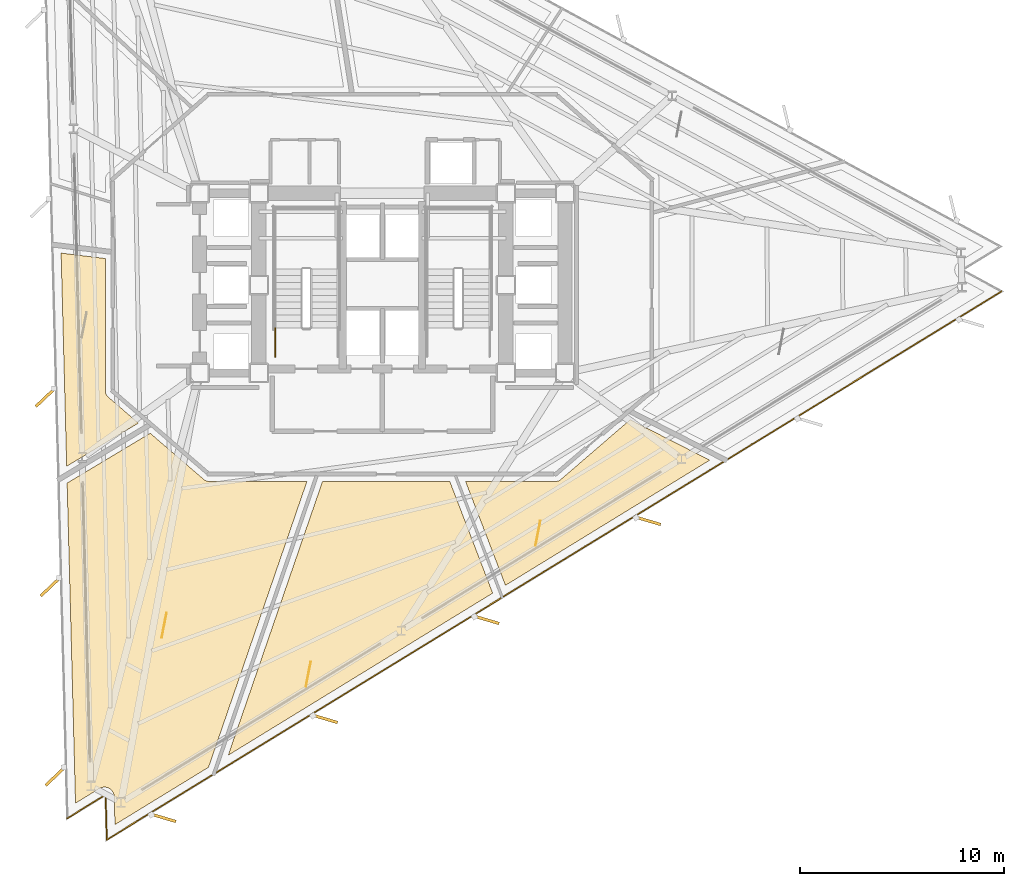
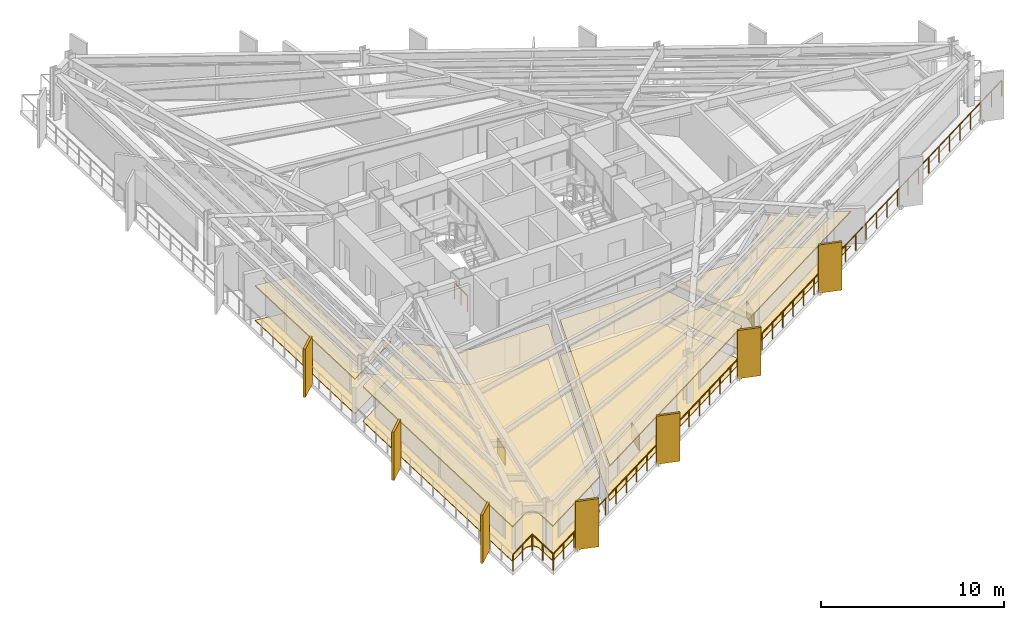
# One storey, part 10 of 14: 11 coverings, 7 shading devices, 2 railings.
"""IFC4 building model written with IfcOpenShell, lengths in metres."""

from ifc_helpers import new_model, si_unit, direction, frame, origin, origin_2d, place, context, subcontext, project, spatial, polyline, rectangle, outline, extrude, material, layer, layer_set, type_object, element, save


model = new_model("IFC4")

# Units and contexts
model_context = context("Model", 3, precision=1e-05, world=origin(), true_north=direction((0.0, 1.0)))
body_context = subcontext(model_context, "Body", "Model", "MODEL_VIEW")
ifc_project = project(units=[si_unit("LENGTHUNIT", "METRE"), si_unit("AREAUNIT", "SQUARE_METRE"), si_unit("VOLUMEUNIT", "CUBIC_METRE"), si_unit("PLANEANGLEUNIT", "RADIAN"), si_unit("MASSUNIT", "GRAM", prefix="KILO")], contexts=[model_context])

# Site, building, storey
site_placement = place(None, origin())
site = spatial("IfcSite", under=ifc_project, at=site_placement, CompositionType="ELEMENT")
building_placement = place(site_placement, origin())
building = spatial("IfcBuilding", under=site, at=building_placement, Name="Rocaltana Carrier Exchange", CompositionType="ELEMENT")
storey_placement = place(building_placement, frame((0.0, 0.0, 35.679931640625)))
storey = spatial("IfcBuildingStorey", under=building, at=storey_placement, Name="L11", CompositionType="ELEMENT", Elevation=35.679931640625)

# Coverings
ifc_material_1 = material(Name="Honed Bogota Sandstone Tile", Category="masonry")
ifc_layer_1 = layer(ifc_material_1, 0.0400390625)
ifc_layer_set_1 = layer_set([ifc_layer_1], Name="Honed Bogota Sandstone Tile")
covering_type_1 = type_object("IfcCoveringType", Name="Honed Stone Lobby Flooring 40", PredefinedType="FLOORING", material=ifc_layer_set_1)
covering_1_placement = place(storey_placement, origin())
element("IfcCovering", 1, at=covering_1_placement, inside=storey, type_object=covering_type_1, Name="L11 Peering Conference Room Finish Floor", PredefinedType="FLOORING", context=body_context, shape_type="SweptSolid", body=[
    extrude(outline(polyline([(-15.732177734375, 1.569091796875), (-13.56005859375, 1.30224609375), (-13.56005859375, -5.199951171875), (-13.559814453125, -5.21337890625), (-13.559326171875, -5.220947265625), (-13.556884765625, -5.24755859375), (-13.5556640625, -5.255126953125), (-13.550537109375, -5.281494140625), (-13.548828125, -5.288818359375), (-13.541259765625, -5.314453125), (-13.538818359375, -5.32177734375), (-13.52880859375, -5.346435546875), (-13.525634765625, -5.353515625), (-13.51318359375, -5.377197265625), (-13.509521484375, -5.3837890625), (-13.4951171875, -5.40625), (-13.490478515625, -5.41259765625), (-13.47412109375, -5.433349609375), (-13.468994140625, -5.439208984375), (-13.450439453125, -5.45849609375), (-13.44482421875, -5.4638671875), (-13.43505859375, -5.47265625), (-11.944580078125, -6.757080078125), (-15.458984375, -8.86865234375), (-15.732177734375, 1.569091796875)])), origin(), (0.0, 0.0, 1.0), 0.0400390625),
])
covering_2_placement = place(storey_placement, origin())
element("IfcCovering", 2, at=covering_2_placement, inside=storey, type_object=covering_type_1, Name="L11 Incident Briefing Room Finish Floor", PredefinedType="FLOORING", context=body_context, shape_type="SweptSolid", body=[
    extrude(outline(polyline([(-13.12939453125, -25.05224609375), (-13.1298828125, -25.038330078125), (-13.131591796875, -25.018310546875), (-13.135009765625, -24.99072265625), (-13.138427734375, -24.97119140625), (-13.144775390625, -24.94384765625), (-13.150146484375, -24.9248046875), (-13.1591796875, -24.898193359375), (-13.16650390625, -24.879638671875), (-13.177978515625, -24.854248046875), (-13.18701171875, -24.83642578125), (-13.200927734375, -24.8125), (-13.2119140625, -24.795654296875), (-13.228271484375, -24.77294921875), (-13.240478515625, -24.75732421875), (-13.259033203125, -24.736572265625), (-13.273193359375, -24.722412109375), (-13.29345703125, -24.703369140625), (-13.308837890625, -24.6904296875), (-13.3310546875, -24.673583984375), (-13.34765625, -24.66259765625), (-13.371337890625, -24.64794921875), (-13.388916015625, -24.638427734375), (-13.4140625, -24.626220703125), (-13.4326171875, -24.61865234375), (-13.458740234375, -24.609130859375), (-13.477783203125, -24.603271484375), (-13.5048828125, -24.596435546875), (-13.5244140625, -24.592529296875), (-13.552001953125, -24.58837890625), (-13.57177734375, -24.58642578125), (-13.599609375, -24.5849609375), (-13.61962890625, -24.585205078125), (-13.6474609375, -24.58642578125), (-13.66748046875, -24.58837890625), (-13.695068359375, -24.5927734375), (-13.714599609375, -24.5966796875), (-13.74169921875, -24.603515625), (-13.760498046875, -24.609619140625), (-13.786865234375, -24.619140625), (-13.80517578125, -24.626708984375), (-13.830322265625, -24.638916015625), (-13.847900390625, -24.6484375), (-13.85986328125, -24.655517578125), (-15.02685546875, -25.37060546875), (-15.437255859375, -9.695556640625), (-11.3701171875, -7.251953125), (-8.735107421875, -9.522705078125), (-8.72412109375, -9.53173828125), (-8.717529296875, -9.53662109375), (-8.6943359375, -9.552978515625), (-8.6875, -9.557373046875), (-8.66259765625, -9.571044921875), (-8.6552734375, -9.57470703125), (-8.629150390625, -9.5859375), (-8.62158203125, -9.5888671875), (-8.594482421875, -9.597412109375), (-8.58642578125, -9.599365234375), (-8.55859375, -9.60498046875), (-8.550537109375, -9.606201171875), (-8.522216796875, -9.609130859375), (-8.51416015625, -9.609619140625), (-8.5, -9.610107421875), (-3.689697265625, -9.610107421875), (-8.510986328125, -23.6123046875), (-13.093505859375, -26.42041015625), (-13.12939453125, -25.05224609375)])), origin(), (0.0, 0.0, 1.0), 0.0400390625),
])
covering_3_placement = place(storey_placement, origin())
element("IfcCovering", 3, at=covering_3_placement, inside=storey, type_object=covering_type_1, Name="L11 Peering Conference Room Finish Floor", PredefinedType="FLOORING", context=body_context, shape_type="SweptSolid", body=[
    extrude(outline(polyline([(-7.5458984375, -23.02099609375), (-2.92822265625, -9.610107421875), (3.30322265625, -9.610107421875), (5.40478515625, -15.084716796875), (-7.5458984375, -23.02099609375)])), origin(), (0.0, 0.0, 1.0), 0.0400390625),
])
covering_4_placement = place(storey_placement, origin())
element("IfcCovering", 4, at=covering_4_placement, inside=storey, type_object=covering_type_1, Name="L11 Optical Switching Laboratory Finish Floor", PredefinedType="FLOORING", context=body_context, shape_type="SweptSolid", body=[
    extrude(outline(polyline([(6.029296875, -14.7021484375), (4.074462890625, -9.610107421875), (8.5, -9.610107421875), (8.51416015625, -9.609619140625), (8.522216796875, -9.609130859375), (8.550537109375, -9.606201171875), (8.55859375, -9.60498046875), (8.58642578125, -9.599365234375), (8.594482421875, -9.597412109375), (8.62158203125, -9.5888671875), (8.629150390625, -9.5859375), (8.6552734375, -9.57470703125), (8.66259765625, -9.571044921875), (8.6875, -9.557373046875), (8.6943359375, -9.552978515625), (8.717529296875, -9.53662109375), (8.72412109375, -9.53173828125), (8.735107421875, -9.522705078125), (12.13916015625, -6.58935546875), (16.031494140625, -8.572509765625), (6.029296875, -14.7021484375)])), origin(), (0.0, 0.0, 1.0), 0.0400390625),
])
ifc_material_2 = material(Name="Anodised Aluminium 6063-T6", Category="aluminium")
ifc_layer_2 = layer(ifc_material_2, 0.0849609375)
ifc_layer_set_2 = layer_set([ifc_layer_2], Name="Anodised Aluminium 6063-T6")
covering_type_2 = type_object("IfcCoveringType", Name="Linear Baffle Acoustic Ceiling 85", PredefinedType="CEILING", material=ifc_layer_set_2)
covering_5_placement = place(storey_placement, frame((0.0, 0.0, 2.282958984375)))
element("IfcCovering", 5, at=covering_5_placement, inside=storey, type_object=covering_type_2, Name="L11 Peering Conference Room Acoustic Ceiling", PredefinedType="CEILING", context=body_context, shape_type="SweptSolid", body=[
    extrude(outline(polyline([(-15.732177734375, 1.569091796875), (-13.56005859375, 1.30224609375), (-13.56005859375, -5.199951171875), (-13.559814453125, -5.21337890625), (-13.559326171875, -5.220947265625), (-13.556884765625, -5.24755859375), (-13.5556640625, -5.255126953125), (-13.550537109375, -5.281494140625), (-13.548828125, -5.288818359375), (-13.541259765625, -5.314453125), (-13.538818359375, -5.32177734375), (-13.52880859375, -5.346435546875), (-13.525634765625, -5.353515625), (-13.51318359375, -5.377197265625), (-13.509521484375, -5.3837890625), (-13.4951171875, -5.40625), (-13.490478515625, -5.41259765625), (-13.47412109375, -5.433349609375), (-13.468994140625, -5.439208984375), (-13.450439453125, -5.45849609375), (-13.44482421875, -5.4638671875), (-13.43505859375, -5.47265625), (-11.944580078125, -6.757080078125), (-15.458984375, -8.86865234375), (-15.732177734375, 1.569091796875)])), origin(), (0.0, 0.0, 1.0), 0.085205078125),
])
covering_6_placement = place(storey_placement, frame((0.0, 0.0, 2.282958984375)))
element("IfcCovering", 6, at=covering_6_placement, inside=storey, type_object=covering_type_2, Name="L11 Incident Briefing Room Acoustic Ceiling", PredefinedType="CEILING", context=body_context, shape_type="SweptSolid", body=[
    extrude(outline(polyline([(-13.12939453125, -25.05224609375), (-13.1298828125, -25.038330078125), (-13.131591796875, -25.018310546875), (-13.135009765625, -24.99072265625), (-13.138427734375, -24.97119140625), (-13.144775390625, -24.94384765625), (-13.150146484375, -24.9248046875), (-13.1591796875, -24.898193359375), (-13.16650390625, -24.879638671875), (-13.177978515625, -24.854248046875), (-13.18701171875, -24.83642578125), (-13.200927734375, -24.8125), (-13.2119140625, -24.795654296875), (-13.228271484375, -24.77294921875), (-13.240478515625, -24.75732421875), (-13.259033203125, -24.736572265625), (-13.273193359375, -24.722412109375), (-13.29345703125, -24.703369140625), (-13.308837890625, -24.6904296875), (-13.3310546875, -24.673583984375), (-13.34765625, -24.66259765625), (-13.371337890625, -24.64794921875), (-13.388916015625, -24.638427734375), (-13.4140625, -24.626220703125), (-13.4326171875, -24.61865234375), (-13.458740234375, -24.609130859375), (-13.477783203125, -24.603271484375), (-13.5048828125, -24.596435546875), (-13.5244140625, -24.592529296875), (-13.552001953125, -24.58837890625), (-13.57177734375, -24.58642578125), (-13.599609375, -24.5849609375), (-13.61962890625, -24.585205078125), (-13.6474609375, -24.58642578125), (-13.66748046875, -24.58837890625), (-13.695068359375, -24.5927734375), (-13.714599609375, -24.5966796875), (-13.74169921875, -24.603515625), (-13.760498046875, -24.609619140625), (-13.786865234375, -24.619140625), (-13.80517578125, -24.626708984375), (-13.830322265625, -24.638916015625), (-13.847900390625, -24.6484375), (-13.85986328125, -24.655517578125), (-15.02685546875, -25.37060546875), (-15.437255859375, -9.695556640625), (-11.3701171875, -7.251953125), (-8.735107421875, -9.522705078125), (-8.72412109375, -9.53173828125), (-8.717529296875, -9.53662109375), (-8.6943359375, -9.552978515625), (-8.6875, -9.557373046875), (-8.66259765625, -9.571044921875), (-8.6552734375, -9.57470703125), (-8.629150390625, -9.5859375), (-8.62158203125, -9.5888671875), (-8.594482421875, -9.597412109375), (-8.58642578125, -9.599365234375), (-8.55859375, -9.60498046875), (-8.550537109375, -9.606201171875), (-8.522216796875, -9.609130859375), (-8.51416015625, -9.609619140625), (-8.5, -9.610107421875), (-3.689697265625, -9.610107421875), (-8.510986328125, -23.6123046875), (-13.093505859375, -26.42041015625), (-13.12939453125, -25.05224609375)])), origin(), (0.0, 0.0, 1.0), 0.085205078125),
])
covering_7_placement = place(storey_placement, frame((0.0, 0.0, 2.282958984375)))
element("IfcCovering", 7, at=covering_7_placement, inside=storey, type_object=covering_type_2, Name="L11 Peering Conference Room Acoustic Ceiling", PredefinedType="CEILING", context=body_context, shape_type="SweptSolid", body=[
    extrude(outline(polyline([(-7.5458984375, -23.02099609375), (-2.92822265625, -9.610107421875), (3.30322265625, -9.610107421875), (5.40478515625, -15.084716796875), (-7.5458984375, -23.02099609375)])), origin(), (0.0, 0.0, 1.0), 0.085205078125),
])
covering_8_placement = place(storey_placement, frame((0.0, 0.0, 2.282958984375)))
element("IfcCovering", 8, at=covering_8_placement, inside=storey, type_object=covering_type_2, Name="L11 Optical Switching Laboratory Acoustic Ceiling", PredefinedType="CEILING", context=body_context, shape_type="SweptSolid", body=[
    extrude(outline(polyline([(6.029296875, -14.7021484375), (4.074462890625, -9.610107421875), (8.5, -9.610107421875), (8.51416015625, -9.609619140625), (8.522216796875, -9.609130859375), (8.550537109375, -9.606201171875), (8.55859375, -9.60498046875), (8.58642578125, -9.599365234375), (8.594482421875, -9.597412109375), (8.62158203125, -9.5888671875), (8.629150390625, -9.5859375), (8.6552734375, -9.57470703125), (8.66259765625, -9.571044921875), (8.6875, -9.557373046875), (8.6943359375, -9.552978515625), (8.717529296875, -9.53662109375), (8.72412109375, -9.53173828125), (8.735107421875, -9.522705078125), (12.13916015625, -6.58935546875), (16.031494140625, -8.572509765625), (6.029296875, -14.7021484375)])), origin(), (0.0, 0.0, 1.0), 0.085205078125),
])

# Railing
ifc_material_3 = material(Name="Powder-Coated Aluminium 6063-T6", Category="aluminium")
ifc_layer_3 = layer(ifc_material_3, 0.048095703125)
ifc_layer_set_3 = layer_set([ifc_layer_3], Name="Powder-Coated Aluminium 6063-T6")
railing_type_1 = type_object("IfcRailingType", Name="Stair Well Guardrail 1100", PredefinedType="GUARDRAIL", material=ifc_layer_set_3)
railing_1_placement = place(storey_placement, frame((-5.25, -3.5, 0.0)))
element("IfcRailing", 9, at=railing_1_placement, inside=storey, type_object=railing_type_1, Name="L11 ST-1 stair guard 9", PredefinedType="GUARDRAIL", context=body_context, shape_type="SweptSolid", body=[
    extrude(rectangle(XDim=0.048095703125, YDim=0.048095703125, at=origin_2d()), frame((0.0, 0.0, 1.076171875), z_axis=(0.0, 1.0, 0.0), x_axis=(-1.0, 0.0, 0.0)), (0.0, 0.0, 1.0), 1.39990234375),
    extrude(rectangle(XDim=0.0419921875, YDim=0.0419921875, at=origin_2d()), origin(), (0.0, 0.0, 1.0), 1.052001953125),
    extrude(rectangle(XDim=0.0419921875, YDim=0.0419921875, at=origin_2d()), frame((0.0, 0.699951171875, 0.0)), (0.0, 0.0, 1.0), 1.052001953125),
    extrude(rectangle(XDim=0.0419921875, YDim=0.0419921875, at=origin_2d()), frame((0.0, 1.39990234375, 0.0)), (0.0, 0.0, 1.0), 1.052001953125),
])

# Coverings
ifc_material_4 = material(Name="Honed Piedra Muneca Sandstone", Category="masonry")
ifc_layer_4 = layer(ifc_material_4, 0.034912109375)
ifc_layer_set_4 = layer_set([ifc_layer_4], Name="Honed Piedra Muneca Sandstone")
covering_type_3 = type_object("IfcCoveringType", Name="Stone Facade Cladding 35", PredefinedType="CLADDING", material=ifc_layer_set_4)
for number, where, z_axis, x_axis, name in (
    (10, (-10.68505859375, -16.654052734375, 0.0), (0.0, 0.0, 1.0), (0.190808995377, 0.981627183448, 0.0), "L11 Stone Facade Cladding Panel 2"),
    (11, (-3.625, -19.052734375, 0.0), (0.0, 0.0, 1.0), (0.190808995377, 0.981627183448, 0.0), "L11 Stone Facade Cladding Panel 3"),
    (12, (7.617919921875, -12.156005859375, 0.0), (0.0, 0.0, 1.0), (0.190808995377, 0.981627183448, 0.0), "L11 Stone Facade Cladding Panel 4"),
):
    element("IfcCovering", number, at=place(storey_placement, frame(where, z_axis=z_axis, x_axis=x_axis)), inside=storey, type_object=covering_type_3, Name=name, PredefinedType="CLADDING", context=body_context, shape_type="SweptSolid", body=[
        extrude(rectangle(XDim=1.25, YDim=0.034912109375, at=origin_2d()), origin(), (0.0, 0.0, 1.0), 1.050048828125),
    ])

# Shading devices
ifc_material_5 = material(Name="Honed Bogota Sandstone & Concrete C45/55", Category="masonry")
ifc_layer_5 = layer(ifc_material_5, 0.139892578125)
ifc_layer_set_5 = layer_set([ifc_layer_5], Name="Honed Bogota Sandstone & Concrete C45/55")
shading_device_type = type_object("IfcShadingDeviceType", Name="Vertical Sandstone Shading Fin 1320x140", PredefinedType="USERDEFINED", material=ifc_layer_set_5)
for number, where, z_axis, x_axis, name in (
    (13, (-16.488525390625, -5.48828125, -0.1201171875), (0.0, 0.0, 1.0), (-0.725374371012, -0.688354575694, 0.0), "L11 Sandstone Vertical Fin F2-04"),
    (14, (-16.24560546875, -14.76513671875, -0.1201171875), (0.0, 0.0, 1.0), (-0.725374371012, -0.688354575694, 0.0), "L11 Sandstone Vertical Fin F2-05"),
    (15, (-16.002685546875, -24.0419921875, -0.1201171875), (0.0, 0.0, 1.0), (-0.725374371012, -0.688354575694, 0.0), "L11 Sandstone Vertical Fin F2-06"),
    (16, (-10.740234375, -26.081787109375, -0.1201171875), (0.0, 0.0, 1.0), (0.958819734868, -0.284015344704, 0.0), "L11 Sandstone Vertical Fin F3-01"),
    (17, (-2.82763671875, -21.23291015625, -0.1201171875), (0.0, 0.0, 1.0), (0.958819734868, -0.284015344704, 0.0), "L11 Sandstone Vertical Fin F3-02"),
    (18, (5.084716796875, -16.384033203125, -0.1201171875), (0.0, 0.0, 1.0), (0.958819734868, -0.284015344704, 0.0), "L11 Sandstone Vertical Fin F3-03"),
    (19, (12.997314453125, -11.535400390625, -0.1201171875), (0.0, 0.0, 1.0), (0.958819734868, -0.284015344704, 0.0), "L11 Sandstone Vertical Fin F3-04"),
):
    element("IfcShadingDevice", number, at=place(storey_placement, frame(where, z_axis=z_axis, x_axis=x_axis)), inside=storey, type_object=shading_device_type, Name=name, ObjectType="FIN", PredefinedType="USERDEFINED", context=body_context, shape_type="SweptSolid", body=[
        extrude(rectangle(XDim=1.320068359375, YDim=0.139892578125, at=origin_2d()), origin(), (0.0, 0.0, 1.0), 3.218017578125),
    ])

# Railing
ifc_material_6 = material(Name="Powder-Coated Aluminium 6063-T6", Category="aluminium")
ifc_layer_6 = layer(ifc_material_6, 0.06005859375)
ifc_layer_set_6 = layer_set([ifc_layer_6], Name="Powder-Coated Aluminium 6063-T6")
railing_type_2 = type_object("IfcRailingType", Name="Wind-Floor & Terrace Perimeter Guardrail 1100", PredefinedType="GUARDRAIL", material=ifc_layer_set_6)
railing_2_placement = place(storey_placement, frame((30.32470703125, -0.306396484375, 0.0)))
element("IfcRailing", 20, at=railing_2_placement, inside=storey, type_object=railing_type_2, Name="L11 Perimeter Balcony Guardrail 1", PredefinedType="GUARDRAIL", context=body_context, shape_type="SweptSolid", body=[
    extrude(rectangle(XDim=0.048095703125, YDim=0.048095703125, at=origin_2d()), frame((0.0, 0.0, 1.076171875), z_axis=(-0.852639552838, -0.522499562619, 0.0), x_axis=(0.522499562619, -0.852639552838, 0.0)), (0.0, 0.0, 1.0), 51.39208984375),
    extrude(rectangle(XDim=0.048095703125, YDim=0.048095703125, at=origin_2d()), frame((-43.81884765625, -26.852294921875, 1.076171875), z_axis=(-0.026187042546, 0.999657060598, 0.0), x_axis=(-0.999657060598, -0.026187042546, 0.0)), (0.0, 0.0, 1.0), 2.2001953125),
    extrude(rectangle(XDim=0.048095703125, YDim=0.048095703125, at=origin_2d()), frame((-43.87646484375, -24.65283203125, 1.076171875), z_axis=(-0.852598062579, -0.522567262356, 0.0), x_axis=(0.522567262356, -0.852598062579, 0.0)), (0.0, 0.0, 1.0), 2.199951171875),
    extrude(rectangle(XDim=0.0419921875, YDim=0.0419921875, at=origin_2d()), origin(), (0.0, 0.0, 1.0), 1.052001953125),
    extrude(rectangle(XDim=0.0419921875, YDim=0.0419921875, at=origin_2d()), frame((-1.01904296875, -0.62451171875, 0.0)), (0.0, 0.0, 1.0), 1.052001953125),
    extrude(rectangle(XDim=0.0419921875, YDim=0.0419921875, at=origin_2d()), frame((-2.0380859375, -1.2490234375, 0.0)), (0.0, 0.0, 1.0), 1.052001953125),
    extrude(rectangle(XDim=0.0419921875, YDim=0.0419921875, at=origin_2d()), frame((-3.05712890625, -1.87353515625, 0.0)), (0.0, 0.0, 1.0), 1.052001953125),
    extrude(rectangle(XDim=0.0419921875, YDim=0.0419921875, at=origin_2d()), frame((-4.076171875, -2.497802734375, 0.0)), (0.0, 0.0, 1.0), 1.052001953125),
    extrude(rectangle(XDim=0.0419921875, YDim=0.0419921875, at=origin_2d()), frame((-5.09521484375, -3.122314453125, 0.0)), (0.0, 0.0, 1.0), 1.052001953125),
    extrude(rectangle(XDim=0.0419921875, YDim=0.0419921875, at=origin_2d()), frame((-6.1142578125, -3.746826171875, 0.0)), (0.0, 0.0, 1.0), 1.052001953125),
    extrude(rectangle(XDim=0.0419921875, YDim=0.0419921875, at=origin_2d()), frame((-7.13330078125, -4.371337890625, 0.0)), (0.0, 0.0, 1.0), 1.052001953125),
    extrude(rectangle(XDim=0.0419921875, YDim=0.0419921875, at=origin_2d()), frame((-8.15234375, -4.995849609375, 0.0)), (0.0, 0.0, 1.0), 1.052001953125),
    extrude(rectangle(XDim=0.0419921875, YDim=0.0419921875, at=origin_2d()), frame((-9.17138671875, -5.620361328125, 0.0)), (0.0, 0.0, 1.0), 1.052001953125),
    extrude(rectangle(XDim=0.0419921875, YDim=0.0419921875, at=origin_2d()), frame((-10.1904296875, -6.24462890625, 0.0)), (0.0, 0.0, 1.0), 1.052001953125),
    extrude(rectangle(XDim=0.0419921875, YDim=0.0419921875, at=origin_2d()), frame((-11.20947265625, -6.869140625, 0.0)), (0.0, 0.0, 1.0), 1.052001953125),
    extrude(rectangle(XDim=0.0419921875, YDim=0.0419921875, at=origin_2d()), frame((-12.228515625, -7.49365234375, 0.0)), (0.0, 0.0, 1.0), 1.052001953125),
    extrude(rectangle(XDim=0.0419921875, YDim=0.0419921875, at=origin_2d()), frame((-13.24755859375, -8.1181640625, 0.0)), (0.0, 0.0, 1.0), 1.052001953125),
    extrude(rectangle(XDim=0.0419921875, YDim=0.0419921875, at=origin_2d()), frame((-14.2666015625, -8.74267578125, 0.0)), (0.0, 0.0, 1.0), 1.052001953125),
    extrude(rectangle(XDim=0.0419921875, YDim=0.0419921875, at=origin_2d()), frame((-15.28564453125, -9.3671875, 0.0)), (0.0, 0.0, 1.0), 1.052001953125),
    extrude(rectangle(XDim=0.0419921875, YDim=0.0419921875, at=origin_2d()), frame((-16.3046875, -9.991455078125, 0.0)), (0.0, 0.0, 1.0), 1.052001953125),
    extrude(rectangle(XDim=0.0419921875, YDim=0.0419921875, at=origin_2d()), frame((-17.32373046875, -10.615966796875, 0.0)), (0.0, 0.0, 1.0), 1.052001953125),
    extrude(rectangle(XDim=0.0419921875, YDim=0.0419921875, at=origin_2d()), frame((-18.3427734375, -11.240478515625, 0.0)), (0.0, 0.0, 1.0), 1.052001953125),
    extrude(rectangle(XDim=0.0419921875, YDim=0.0419921875, at=origin_2d()), frame((-19.36181640625, -11.864990234375, 0.0)), (0.0, 0.0, 1.0), 1.052001953125),
    extrude(rectangle(XDim=0.0419921875, YDim=0.0419921875, at=origin_2d()), frame((-20.380859375, -12.489501953125, 0.0)), (0.0, 0.0, 1.0), 1.052001953125),
    extrude(rectangle(XDim=0.0419921875, YDim=0.0419921875, at=origin_2d()), frame((-21.39990234375, -13.114013671875, 0.0)), (0.0, 0.0, 1.0), 1.052001953125),
    extrude(rectangle(XDim=0.0419921875, YDim=0.0419921875, at=origin_2d()), frame((-22.4189453125, -13.73828125, 0.0)), (0.0, 0.0, 1.0), 1.052001953125),
    extrude(rectangle(XDim=0.0419921875, YDim=0.0419921875, at=origin_2d()), frame((-23.43798828125, -14.36279296875, 0.0)), (0.0, 0.0, 1.0), 1.052001953125),
    extrude(rectangle(XDim=0.0419921875, YDim=0.0419921875, at=origin_2d()), frame((-24.45703125, -14.9873046875, 0.0)), (0.0, 0.0, 1.0), 1.052001953125),
    extrude(rectangle(XDim=0.0419921875, YDim=0.0419921875, at=origin_2d()), frame((-25.47607421875, -15.61181640625, 0.0)), (0.0, 0.0, 1.0), 1.052001953125),
    extrude(rectangle(XDim=0.0419921875, YDim=0.0419921875, at=origin_2d()), frame((-26.4951171875, -16.236328125, 0.0)), (0.0, 0.0, 1.0), 1.052001953125),
    extrude(rectangle(XDim=0.0419921875, YDim=0.0419921875, at=origin_2d()), frame((-27.51416015625, -16.86083984375, 0.0)), (0.0, 0.0, 1.0), 1.052001953125),
    extrude(rectangle(XDim=0.0419921875, YDim=0.0419921875, at=origin_2d()), frame((-28.533203125, -17.485107421875, 0.0)), (0.0, 0.0, 1.0), 1.052001953125),
    extrude(rectangle(XDim=0.0419921875, YDim=0.0419921875, at=origin_2d()), frame((-29.55224609375, -18.109619140625, 0.0)), (0.0, 0.0, 1.0), 1.052001953125),
    extrude(rectangle(XDim=0.0419921875, YDim=0.0419921875, at=origin_2d()), frame((-30.5712890625, -18.734130859375, 0.0)), (0.0, 0.0, 1.0), 1.052001953125),
    extrude(rectangle(XDim=0.0419921875, YDim=0.0419921875, at=origin_2d()), frame((-31.59033203125, -19.358642578125, 0.0)), (0.0, 0.0, 1.0), 1.052001953125),
    extrude(rectangle(XDim=0.0419921875, YDim=0.0419921875, at=origin_2d()), frame((-32.609375, -19.983154296875, 0.0)), (0.0, 0.0, 1.0), 1.052001953125),
    extrude(rectangle(XDim=0.0419921875, YDim=0.0419921875, at=origin_2d()), frame((-33.62841796875, -20.607666015625, 0.0)), (0.0, 0.0, 1.0), 1.052001953125),
    extrude(rectangle(XDim=0.0419921875, YDim=0.0419921875, at=origin_2d()), frame((-34.6474609375, -21.23193359375, 0.0)), (0.0, 0.0, 1.0), 1.052001953125),
    extrude(rectangle(XDim=0.0419921875, YDim=0.0419921875, at=origin_2d()), frame((-35.66650390625, -21.8564453125, 0.0)), (0.0, 0.0, 1.0), 1.052001953125),
    extrude(rectangle(XDim=0.0419921875, YDim=0.0419921875, at=origin_2d()), frame((-36.685546875, -22.48095703125, 0.0)), (0.0, 0.0, 1.0), 1.052001953125),
    extrude(rectangle(XDim=0.0419921875, YDim=0.0419921875, at=origin_2d()), frame((-37.70458984375, -23.10546875, 0.0)), (0.0, 0.0, 1.0), 1.052001953125),
    extrude(rectangle(XDim=0.0419921875, YDim=0.0419921875, at=origin_2d()), frame((-38.7236328125, -23.72998046875, 0.0)), (0.0, 0.0, 1.0), 1.052001953125),
    extrude(rectangle(XDim=0.0419921875, YDim=0.0419921875, at=origin_2d()), frame((-39.74267578125, -24.3544921875, 0.0)), (0.0, 0.0, 1.0), 1.052001953125),
    extrude(rectangle(XDim=0.0419921875, YDim=0.0419921875, at=origin_2d()), frame((-40.76171875, -24.978759765625, 0.0)), (0.0, 0.0, 1.0), 1.052001953125),
    extrude(rectangle(XDim=0.0419921875, YDim=0.0419921875, at=origin_2d()), frame((-41.78076171875, -25.603271484375, 0.0)), (0.0, 0.0, 1.0), 1.052001953125),
    extrude(rectangle(XDim=0.0419921875, YDim=0.0419921875, at=origin_2d()), frame((-42.7998046875, -26.227783203125, 0.0)), (0.0, 0.0, 1.0), 1.052001953125),
    extrude(rectangle(XDim=0.0419921875, YDim=0.0419921875, at=origin_2d()), frame((-43.81884765625, -26.852294921875, 0.0)), (0.0, 0.0, 1.0), 1.052001953125),
    extrude(rectangle(XDim=0.0419921875, YDim=0.0419921875, at=origin_2d()), frame((-43.84765625, -25.75244140625, 0.0)), (0.0, 0.0, 1.0), 1.052001953125),
    extrude(rectangle(XDim=0.0419921875, YDim=0.0419921875, at=origin_2d()), frame((-43.87646484375, -24.65283203125, 0.0)), (0.0, 0.0, 1.0), 1.052001953125),
    extrude(rectangle(XDim=0.0419921875, YDim=0.0419921875, at=origin_2d()), frame((-44.814453125, -25.2275390625, 0.0)), (0.0, 0.0, 1.0), 1.052001953125),
    extrude(rectangle(XDim=0.0419921875, YDim=0.0419921875, at=origin_2d()), frame((-45.752197265625, -25.802490234375, 0.0)), (0.0, 0.0, 1.0), 1.052001953125),
])

save(model, "model.ifc")
